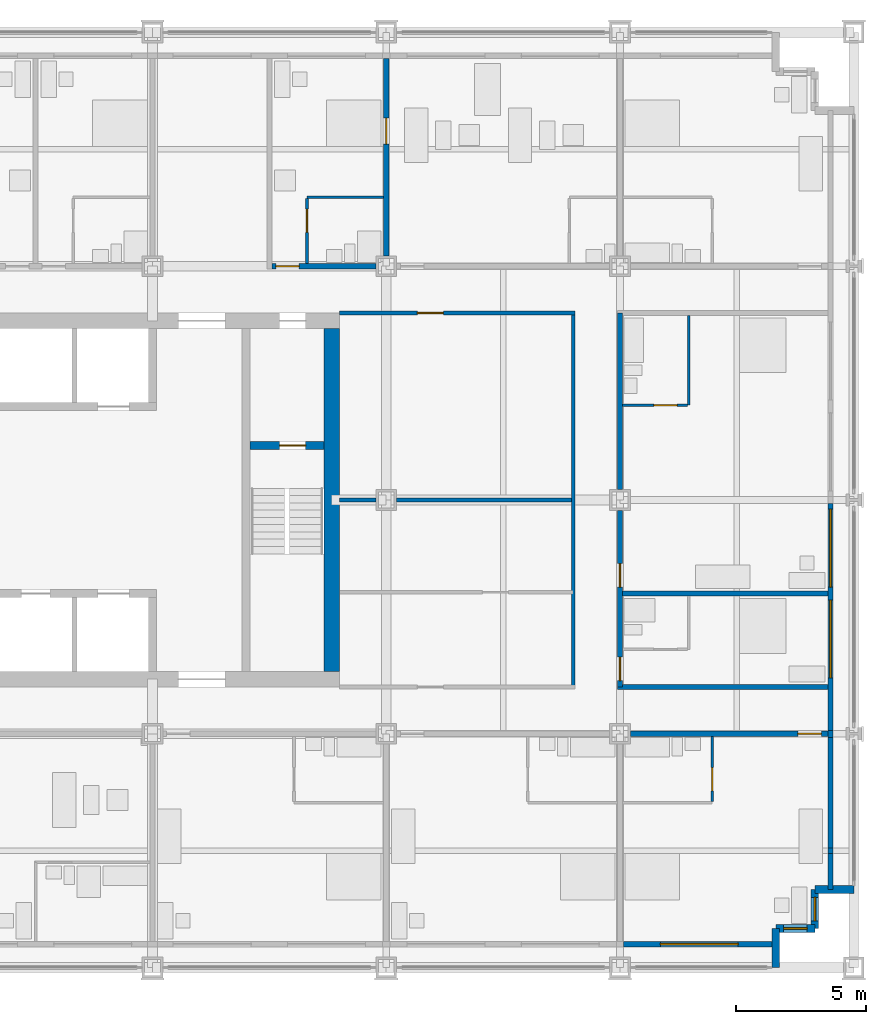
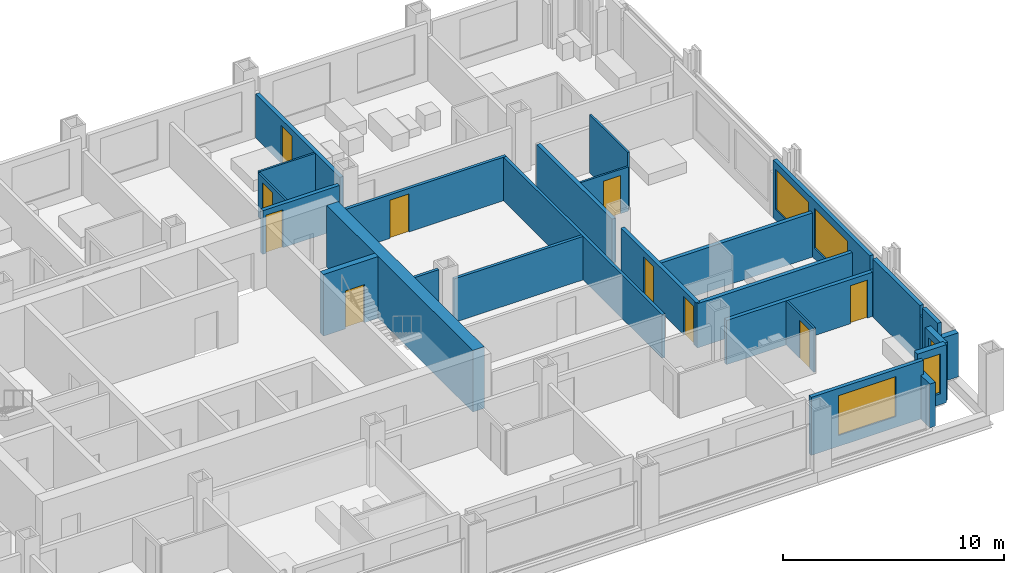
# One storey, part 13 of 18: 28 walls, 10 doors, 5 windows, 15 openings.
"""IFC4 building model written with IfcOpenShell, lengths in metres."""

import ifcopenshell
import ifcopenshell.guid

model = None  # the IFC model being written
_history = None  # IfcOwnerHistory: only IFC2X3 demands one
_inside = {}  # id of a spatial element -> (the spatial element, [elements in it])
_under = {}  # id of a project, library or spatial element -> (it, [spatial elements below it])
_declared = {}  # id of a project -> (the project, [libraries it declares])
_typed = {}  # id of a type object -> (the type object, [elements of that type])
_made_of = {}  # id of a material, layer set ... -> (it, [elements and type objects made of it])


def new_model(schema):
    """Start an empty IFC model of exactly this schema.

    Asked for "IFC4X3", IfcOpenShell would pick the latest addendum, in which some entities
    have other attributes; the version numbers below select the first issue.
    IFC2X3 requires an IfcOwnerHistory on every rooted entity: one is made here for all.
    """
    global model, _history
    if schema == "IFC4X3":
        model = ifcopenshell.file(schema_version=(4, 3, 0, 0))
    else:
        model = ifcopenshell.file(schema=schema)
    _inside.clear()
    _under.clear()
    _declared.clear()
    _typed.clear()
    _made_of.clear()
    _history = None
    if model.schema == "IFC2X3":
        org = make("IfcOrganization", Name="unknown")
        user = make(
            "IfcPersonAndOrganization",
            ThePerson=make("IfcPerson", FamilyName="unknown"),
            TheOrganization=org,
        )
        app = make(
            "IfcApplication",
            ApplicationDeveloper=org,
            Version="unknown",
            ApplicationFullName="unknown",
            ApplicationIdentifier="unknown",
        )
        _history = make(
            "IfcOwnerHistory",
            OwningUser=user,
            OwningApplication=app,
            ChangeAction="ADDED",
            CreationDate=0,
        )
    return model


def make(cls, **values):
    """One entity of the class cls with the attributes given. An attribute that is None is left unset."""
    return model.create_entity(
        cls, **{name: value for name, value in values.items() if value is not None}
    )


def rooted(cls, **values):
    """An entity with a GlobalId (a new one), such as an element, a storey or a relation."""
    return make(cls, GlobalId=ifcopenshell.guid.new(), OwnerHistory=_history, **values)


def si_unit(unit_type, name, prefix=None):
    """IfcSIUnit, for example si_unit("LENGTHUNIT", "METRE", prefix="MILLI")."""
    return make("IfcSIUnit", UnitType=unit_type, Prefix=prefix, Name=name)


def assignment(units):
    """IfcUnitAssignment: the units of a project."""
    return None if units is None else make("IfcUnitAssignment", Units=units)


def point(xyz):
    """IfcCartesianPoint."""
    return None if xyz is None else make("IfcCartesianPoint", Coordinates=xyz)


def direction(xyz):
    """IfcDirection."""
    return None if xyz is None else make("IfcDirection", DirectionRatios=xyz)


def frame(location, z_axis=None, x_axis=None):
    """IfcAxis2Placement3D, a coordinate frame: its origin and axes. An axis left out is left unset."""
    return make(
        "IfcAxis2Placement3D",
        Location=point(location),
        Axis=direction(z_axis),
        RefDirection=direction(x_axis),
    )


def frame_2d(location, x_axis=None):
    """IfcAxis2Placement2D, a coordinate frame in the plane: its origin and x axis."""
    return make(
        "IfcAxis2Placement2D", Location=point(location), RefDirection=direction(x_axis)
    )


def origin():
    """The frame at (0, 0, 0) with its axes left unset."""
    return frame((0.0, 0.0, 0.0))


def place(relative_to, where):
    """IfcLocalPlacement: puts the frame where relative to a parent placement (None: the world)."""
    return make(
        "IfcLocalPlacement", PlacementRelTo=relative_to, RelativePlacement=where
    )


def context(
    kind, dimensions, precision=None, world=None, true_north=None, identifier=None
):
    """IfcGeometricRepresentationContext, for example the 3D "Model" context."""
    return make(
        "IfcGeometricRepresentationContext",
        ContextIdentifier=identifier,
        ContextType=kind,
        CoordinateSpaceDimension=dimensions,
        Precision=precision,
        WorldCoordinateSystem=world,
        TrueNorth=true_north,
    )


def subcontext(parent, identifier, kind, view, scale=None):
    """IfcGeometricRepresentationSubContext, for example "Body" below "Model"."""
    return make(
        "IfcGeometricRepresentationSubContext",
        ContextIdentifier=identifier,
        ContextType=kind,
        ParentContext=parent,
        TargetScale=scale,
        TargetView=view,
    )


def project(units=None, contexts=None):
    """IfcProject with its units and contexts."""
    return rooted(
        "IfcProject",
        Name="project",
        RepresentationContexts=contexts,
        UnitsInContext=assignment(units),
    )


def spatial(cls, under=None, at=None, **own):
    """A site, building, storey or space (cls), placed at a placement, below another one or the project."""
    s = rooted(cls, ObjectPlacement=at, **own)
    if under is not None:
        _under.setdefault(under.id(), (under, []))[1].append(s)
    return s


def profile(cls, at=None, kind="AREA", **sizes):
    """A parametric profile (cls). Its sizes go by their IFC names, for example OverallWidth=200.0."""
    return make(cls, ProfileType=kind, Position=at, **sizes)


def rectangle(**sizes):
    """IfcRectangleProfileDef."""
    return profile("IfcRectangleProfileDef", **sizes)


def extrude(swept, where, along, depth):
    """IfcExtrudedAreaSolid: the profile swept, set in the frame where, extruded along a direction by depth."""
    return make(
        "IfcExtrudedAreaSolid",
        SweptArea=swept,
        Position=where,
        ExtrudedDirection=direction(along),
        Depth=depth,
    )


def shape(context_of_items, identifier, shape_type, items):
    """IfcShapeRepresentation: the items that make up one representation, for example the "Body"."""
    return make(
        "IfcShapeRepresentation",
        ContextOfItems=context_of_items,
        RepresentationIdentifier=identifier,
        RepresentationType=shape_type,
        Items=items,
    )


def material(Name=None, Category=None):
    """IfcMaterial."""
    return make("IfcMaterial", Name=Name, Category=Category)


def layer(
    of_material, thickness, ventilated=None, Name=None, Category=None, Priority=None
):
    """IfcMaterialLayer: one layer of a wall or slab, of a material (None: an air gap)."""
    return make(
        "IfcMaterialLayer",
        Material=of_material,
        LayerThickness=thickness,
        IsVentilated=ventilated,
        Name=Name,
        Category=Category,
        Priority=Priority,
    )


def layer_set(layers, Name=None):
    """IfcMaterialLayerSet."""
    return make("IfcMaterialLayerSet", MaterialLayers=layers, LayerSetName=Name)


def made_of(thing, what):
    """Note that an element or type object is made of a material, layer set ...; save() writes the relation."""
    if what is not None:
        _made_of.setdefault(what.id(), (what, []))[1].append(thing)
    return thing


def type_object(cls, material=None, **own):
    """A type object (cls), such as IfcWallType, which elements share."""
    return made_of(rooted(cls, **own), material)


def element(
    cls,
    number,
    at=None,
    inside=None,
    cuts=None,
    type_object=None,
    material=None,
    context=None,
    identifier="Body",
    shape_type=None,
    held_by="IfcProductDefinitionShape",
    body=None,
    shapes=None,
    **own,
):
    """One element of the class cls, such as IfcWall. Its Tag is "e" and its number.

    at: its placement. inside: the storey or other place that contains it. cuts: it is an
    opening in that element (IfcRelVoidsElement). A single representation is given by context,
    identifier, shape_type and body (its items); several are given by shapes. held_by: the class
    of the entity that holds the representations. save() writes the other relations.
    """
    e = rooted(cls, Tag="e%d" % number, ObjectPlacement=at, **own)
    if body is not None:
        shapes = [shape(context, identifier, shape_type, body)]
    if shapes is not None:
        e.Representation = make(held_by, Representations=shapes)
    if inside is not None:
        _inside.setdefault(inside.id(), (inside, []))[1].append(e)
    if cuts is not None:
        rooted(
            "IfcRelVoidsElement", RelatingBuildingElement=cuts, RelatedOpeningElement=e
        )
    if type_object is not None:
        _typed.setdefault(type_object.id(), (type_object, []))[1].append(e)
    return made_of(e, material)


def fill(opening, filler):
    """IfcRelFillsElement: the door or window that sits in an opening."""
    return rooted(
        "IfcRelFillsElement",
        RelatingOpeningElement=opening,
        RelatedBuildingElement=filler,
    )


def aggregate(whole, parts):
    """IfcRelAggregates: a whole, such as a stair, and the parts it consists of."""
    return rooted("IfcRelAggregates", RelatingObject=whole, RelatedObjects=parts)


def save(model, path):
    """Write the relations noted so far, then the file.

    IfcRelAggregates (storeys below a building ...), IfcRelContainedInSpatialStructure (elements
    in a storey), IfcRelDefinesByType, IfcRelAssociatesMaterial and IfcRelDeclares: one each for
    every whole, place, type object, material and project.
    """
    for whole, parts in _under.values():
        aggregate(whole, parts)
    for where, things in _inside.values():
        rooted(
            "IfcRelContainedInSpatialStructure",
            RelatedElements=things,
            RelatingStructure=where,
        )
    for kind, things in _typed.values():
        rooted("IfcRelDefinesByType", RelatedObjects=things, RelatingType=kind)
    for what, things in _made_of.values():
        rooted("IfcRelAssociatesMaterial", RelatedObjects=things, RelatingMaterial=what)
    for by, libraries in _declared.values():
        rooted("IfcRelDeclares", RelatingContext=by, RelatedDefinitions=libraries)
    model.write(path)


model = new_model("IFC4")

# Units and contexts
model_context = context("Model", 3, precision=1e-05, world=origin(), true_north=direction((0.0, 1.0)))
body_context = subcontext(model_context, "Body", "Model", "MODEL_VIEW")
ifc_project = project(units=[si_unit("LENGTHUNIT", "METRE"), si_unit("AREAUNIT", "SQUARE_METRE"), si_unit("VOLUMEUNIT", "CUBIC_METRE"), si_unit("PLANEANGLEUNIT", "RADIAN"), si_unit("MASSUNIT", "GRAM", prefix="KILO")], contexts=[model_context])

# Site, building, storey
site_placement = place(None, origin())
site = spatial("IfcSite", under=ifc_project, at=site_placement, CompositionType="ELEMENT")
building_placement = place(site_placement, origin())
building = spatial("IfcBuilding", under=site, at=building_placement, Name="Loomwork Tower", CompositionType="ELEMENT")
storey_placement = place(building_placement, frame((0.0, 0.0, 41.60009765625)))
storey = spatial("IfcBuildingStorey", under=building, at=storey_placement, Name="L09", CompositionType="ELEMENT", Elevation=41.60009765625)

# Wall, opening, door
ifc_material_1 = material(Name="Concrete 14000 psi (97 MPa)", Category="concrete")
ifc_layer_1 = layer(ifc_material_1, 0.300048828125)
ifc_layer_set_1 = layer_set([ifc_layer_1], Name="Core shear wall 300")
wall_type_1 = type_object("IfcWallType", Name="Core shear wall 300", PredefinedType="SHEAR", material=ifc_layer_set_1)
wall_1_placement = place(storey_placement, frame((30.75, 20.10009765625, 0.0), z_axis=(0.0, 0.0, 1.0), x_axis=(1.0, 0.0, 0.0)))
wall_1 = element("IfcWall", 1, at=wall_1_placement, inside=storey, type_object=wall_type_1, Name="Stair B north wall L09", PredefinedType="SHEAR", context=body_context, shape_type="SweptSolid", body=[
    extrude(rectangle(XDim=2.85009765625, YDim=0.300048828125, at=frame_2d((1.425048828125, 0.0))), origin(), (0.0, 0.0, 1.0), 3.39990234375),
])
opening_1_placement = place(wall_1_placement, frame((1.14990234375, 0.0, 0.0)))
opening_1 = element("IfcOpeningElement", 2, at=opening_1_placement, cuts=wall_1, Name="Opening D4", PredefinedType="OPENING", context=body_context, shape_type="SweptSolid", body=[
    extrude(rectangle(XDim=1.0, YDim=2.10009765625, at=frame_2d((0.5, 1.050048828125))), frame((0.0, 0.159912109375, 0.0), z_axis=(0.0, -1.0, 0.0), x_axis=(1.0, 0.0, 0.0)), (0.0, 0.0, 1.0), 0.320068359375),
])
ifc_material_2 = material(Name="Hollow metal door and frame")
door_type_1 = type_object("IfcDoorType", Name="Stair door 1000", OperationType="SINGLE_SWING_RIGHT", PredefinedType="DOOR", material=ifc_material_2)
door_1_placement = place(opening_1_placement, frame((1.0, 0.0, 0.0), z_axis=(0.0, 0.0, 1.0), x_axis=(-1.0, 0.0, 0.0)))
door_1 = element("IfcDoor", 3, at=door_1_placement, inside=storey, type_object=door_type_1, Name="Stair B door", OperationType="SINGLE_SWING_LEFT", OverallHeight=2.10009765625, OverallWidth=1.0, PredefinedType="DOOR", context=body_context, shape_type="SweptSolid", body=[
    extrude(rectangle(XDim=1.0, YDim=2.10009765625, at=frame_2d((0.5, 1.050048828125))), frame((0.0, 0.02490234375, 0.0), z_axis=(0.0, -1.0, 0.0), x_axis=(1.0, 0.0, 0.0)), (0.0, 0.0, 1.0), 0.050048828125),
])
fill(opening_1, door_1)

# Wall
ifc_material_3 = material(Name="Concrete 14000 psi (97 MPa)", Category="concrete")
ifc_layer_2 = layer(ifc_material_3, 0.60009765625)
ifc_layer_set_2 = layer_set([ifc_layer_2], Name="Core shear wall 600")
wall_type_2 = type_object("IfcWallType", Name="Core shear wall 600", PredefinedType="SHEAR", material=ifc_layer_set_2)
wall_2_placement = place(storey_placement, frame((33.89990234375, 11.39990234375, 0.0), z_axis=(0.0, 0.0, 1.0), x_axis=(0.0, 1.0, 0.0)))
element("IfcWall", 4, at=wall_2_placement, inside=storey, type_object=wall_type_2, Name="Core wall east L09", PredefinedType="SHEAR", context=body_context, shape_type="SweptSolid", body=[
    extrude(rectangle(XDim=13.2001953125, YDim=0.60009765625, at=frame_2d((6.60009765625, 0.0))), origin(), (0.0, 0.0, 1.0), 3.39990234375),
])

# Wall, opening, door
ifc_material_4 = material(Name="Gypsum board on steel studs, one-hour", Category="steel")
ifc_layer_3 = layer(ifc_material_4, 0.199951171875)
ifc_layer_set_3 = layer_set([ifc_layer_3], Name="Corridor wall 200")
wall_type_3 = type_object("IfcWallType", Name="Corridor wall 200", PredefinedType="PARTITIONING", material=ifc_layer_set_3)
wall_3_placement = place(storey_placement, frame((45.39990234375, 9.0, 0.0), z_axis=(0.0, 0.0, 1.0), x_axis=(1.0, 0.0, 0.0)))
wall_3 = element("IfcWall", 5, at=wall_3_placement, inside=storey, type_object=wall_type_3, Name="South corridor wall 6", PredefinedType="PARTITIONING", context=body_context, shape_type="SweptSolid", body=[
    extrude(rectangle(XDim=7.60009765625, YDim=0.199951171875, at=frame_2d((3.800048828125, 0.0))), origin(), (0.0, 0.0, 1.0), 2.43798828125),
])
opening_2_placement = place(wall_3_placement, frame((6.449951171875, 0.0, 0.0)))
opening_2 = element("IfcOpeningElement", 6, at=opening_2_placement, cuts=wall_3, Name="Opening D1", PredefinedType="OPENING", context=body_context, shape_type="SweptSolid", body=[
    extrude(rectangle(XDim=0.89990234375, YDim=2.10009765625, at=frame_2d((0.449951171875, 1.050048828125))), frame((0.0, 0.10986328125, 0.0), z_axis=(0.0, -1.0, 0.0), x_axis=(1.0, 0.0, 0.0)), (0.0, 0.0, 1.0), 0.219970703125),
])
ifc_material_5 = material(Name="Hollow metal door and frame")
door_type_2 = type_object("IfcDoorType", Name="Guest room entry door 900", OperationType="SINGLE_SWING_LEFT", PredefinedType="DOOR", material=ifc_material_5)
door_2_placement = place(opening_2_placement, frame((0.89990234375, 0.0, 0.0), z_axis=(0.0, 0.0, 1.0), x_axis=(-1.0, 0.0, 0.0)))
door_2 = element("IfcDoor", 7, at=door_2_placement, inside=storey, type_object=door_type_2, Name="Guest room entry door L09 6", OperationType="SINGLE_SWING_LEFT", OverallHeight=2.10009765625, OverallWidth=0.89990234375, PredefinedType="DOOR", context=body_context, shape_type="SweptSolid", body=[
    extrude(rectangle(XDim=0.89990234375, YDim=2.10009765625, at=frame_2d((0.449951171875, 1.050048828125))), frame((0.0, 0.02490234375, 0.0), z_axis=(0.0, -1.0, 0.0), x_axis=(1.0, 0.0, 0.0)), (0.0, 0.0, 1.0), 0.050048828125),
])
fill(opening_2, door_2)

wall_4_placement = place(storey_placement, frame((31.60009765625, 27.0, 0.0), z_axis=(0.0, 0.0, 1.0), x_axis=(1.0, 0.0, 0.0)))
wall_4 = element("IfcWall", 8, at=wall_4_placement, inside=storey, type_object=wall_type_3, Name="North corridor wall 4", PredefinedType="PARTITIONING", context=body_context, shape_type="SweptSolid", body=[
    extrude(rectangle(XDim=4.0, YDim=0.199951171875, at=frame_2d((2.0, 0.0))), origin(), (0.0, 0.0, 1.0), 2.40478515625),
])
opening_3_placement = place(wall_4_placement, frame((0.14990234375, 0.0, 0.0)))
opening_3 = element("IfcOpeningElement", 9, at=opening_3_placement, cuts=wall_4, Name="Opening D1", PredefinedType="OPENING", context=body_context, shape_type="SweptSolid", body=[
    extrude(rectangle(XDim=0.89990234375, YDim=2.10009765625, at=frame_2d((0.449951171875, 1.050048828125))), frame((0.0, 0.10986328125, 0.0), z_axis=(0.0, -1.0, 0.0), x_axis=(1.0, 0.0, 0.0)), (0.0, 0.0, 1.0), 0.219970703125),
])
door_3_placement = place(opening_3_placement, origin())
door_3 = element("IfcDoor", 10, at=door_3_placement, inside=storey, type_object=door_type_2, Name="Guest room entry door L09 11", OperationType="SINGLE_SWING_LEFT", OverallHeight=2.10009765625, OverallWidth=0.89990234375, PredefinedType="DOOR", context=body_context, shape_type="SweptSolid", body=[
    extrude(rectangle(XDim=0.89990234375, YDim=2.10009765625, at=frame_2d((0.449951171875, 1.050048828125))), frame((0.0, 0.02490234375, 0.0), z_axis=(0.0, -1.0, 0.0), x_axis=(1.0, 0.0, 0.0)), (0.0, 0.0, 1.0), 0.050048828125),
])
fill(opening_3, door_3)

# Wall, openings, doors
wall_5_placement = place(storey_placement, frame((45.0, 10.800048828125, 0.0), z_axis=(0.0, 0.0, 1.0), x_axis=(0.0, 1.0, 0.0)))
wall_5 = element("IfcWall", 11, at=wall_5_placement, inside=storey, type_object=wall_type_3, Name="East corridor wall 1", PredefinedType="PARTITIONING", context=body_context, shape_type="SweptSolid", body=[
    extrude(rectangle(XDim=6.800048828125, YDim=0.199951171875, at=frame_2d((3.39990234375, 0.0))), origin(), (0.0, 0.0, 1.0), 2.43798828125),
])
opening_4_placement = place(wall_5_placement, frame((0.25, 0.0, 0.0)))
opening_4 = element("IfcOpeningElement", 12, at=opening_4_placement, cuts=wall_5, Name="Opening D1", PredefinedType="OPENING", context=body_context, shape_type="SweptSolid", body=[
    extrude(rectangle(XDim=0.89990234375, YDim=2.10009765625, at=frame_2d((0.449951171875, 1.050048828125))), frame((0.0, 0.10986328125, 0.0), z_axis=(0.0, -1.0, 0.0), x_axis=(1.0, 0.0, 0.0)), (0.0, 0.0, 1.0), 0.219970703125),
])
opening_5_placement = place(wall_5_placement, frame((3.85009765625, 0.0, 0.0)))
opening_5 = element("IfcOpeningElement", 13, at=opening_5_placement, cuts=wall_5, Name="Opening D1", PredefinedType="OPENING", context=body_context, shape_type="SweptSolid", body=[
    extrude(rectangle(XDim=0.89990234375, YDim=2.10009765625, at=frame_2d((0.449951171875, 1.050048828125))), frame((0.0, 0.10986328125, 0.0), z_axis=(0.0, -1.0, 0.0), x_axis=(1.0, 0.0, 0.0)), (0.0, 0.0, 1.0), 0.219970703125),
])
door_4_placement = place(opening_4_placement, frame((0.89990234375, 0.0, 0.0), z_axis=(0.0, 0.0, 1.0), x_axis=(-1.0, 0.0, 0.0)))
door_4 = element("IfcDoor", 14, at=door_4_placement, inside=storey, type_object=door_type_2, Name="Guest room entry door L09 16", OperationType="SINGLE_SWING_RIGHT", OverallHeight=2.10009765625, OverallWidth=0.89990234375, PredefinedType="DOOR", context=body_context, shape_type="SweptSolid", body=[
    extrude(rectangle(XDim=0.89990234375, YDim=2.10009765625, at=frame_2d((0.449951171875, 1.050048828125))), frame((0.0, 0.02490234375, 0.0), z_axis=(0.0, -1.0, 0.0), x_axis=(1.0, 0.0, 0.0)), (0.0, 0.0, 1.0), 0.050048828125),
])
fill(opening_4, door_4)
door_5_placement = place(opening_5_placement, frame((0.89990234375, 0.0, 0.0), z_axis=(0.0, 0.0, 1.0), x_axis=(-1.0, 0.0, 0.0)))
door_5 = element("IfcDoor", 15, at=door_5_placement, inside=storey, type_object=door_type_2, Name="Guest room entry door L09 17", OperationType="SINGLE_SWING_RIGHT", OverallHeight=2.10009765625, OverallWidth=0.89990234375, PredefinedType="DOOR", context=body_context, shape_type="SweptSolid", body=[
    extrude(rectangle(XDim=0.89990234375, YDim=2.10009765625, at=frame_2d((0.449951171875, 1.050048828125))), frame((0.0, 0.02490234375, 0.0), z_axis=(0.0, -1.0, 0.0), x_axis=(1.0, 0.0, 0.0)), (0.0, 0.0, 1.0), 0.050048828125),
])
fill(opening_5, door_5)

# Walls
wall_6_placement = place(storey_placement, frame((45.0, 18.39990234375, 0.0), z_axis=(0.0, 0.0, 1.0), x_axis=(0.0, 1.0, 0.0)))
element("IfcWall", 16, at=wall_6_placement, inside=storey, type_object=wall_type_3, Name="East corridor wall 2", PredefinedType="PARTITIONING", context=body_context, shape_type="SweptSolid", body=[
    extrude(rectangle(XDim=6.800048828125, YDim=0.199951171875, at=frame_2d((3.39990234375, 0.0))), origin(), (0.0, 0.0, 1.0), 2.43798828125),
])
wall_7_placement = place(storey_placement, frame((44.89990234375, 10.800048828125, 0.0), z_axis=(0.0, 0.0, 1.0), x_axis=(1.0, 0.0, 0.0)))
element("IfcWall", 17, at=wall_7_placement, inside=storey, type_object=wall_type_3, Name="East band end wall S", PredefinedType="PARTITIONING", context=body_context, shape_type="SweptSolid", body=[
    extrude(rectangle(XDim=8.10009765625, YDim=0.199951171875, at=frame_2d((4.050048828125, 0.0))), origin(), (0.0, 0.0, 1.0), 2.43798828125),
])

# Wall, opening, door
ifc_material_6 = material(Name="Cement board on steel studs", Category="steel")
ifc_layer_4 = layer(ifc_material_6, 0.10009765625)
ifc_layer_set_4 = layer_set([ifc_layer_4], Name="En-suite partition 100")
wall_type_4 = type_object("IfcWallType", Name="En-suite partition 100", PredefinedType="PARTITIONING", material=ifc_layer_set_4)
wall_8_placement = place(storey_placement, frame((48.550048828125, 8.89990234375, 0.0), z_axis=(0.0, 0.0, 1.0), x_axis=(0.0, -1.0, 0.0)))
wall_8 = element("IfcWall", 18, at=wall_8_placement, inside=storey, type_object=wall_type_4, Name="En-suite side wall L09 room 6", PredefinedType="PARTITIONING", context=body_context, shape_type="SweptSolid", body=[
    extrude(rectangle(XDim=2.5, YDim=0.10009765625, at=frame_2d((1.25, 0.0))), origin(), (0.0, 0.0, 1.0), 2.43798828125),
])
opening_6_placement = place(wall_8_placement, frame((1.199951171875, 0.0, 0.0)))
opening_6 = element("IfcOpeningElement", 19, at=opening_6_placement, cuts=wall_8, Name="Opening D2", PredefinedType="OPENING", context=body_context, shape_type="SweptSolid", body=[
    extrude(rectangle(XDim=0.89990234375, YDim=2.10009765625, at=frame_2d((0.449951171875, 1.050048828125))), frame((0.0, 0.06005859375, 0.0), z_axis=(0.0, -1.0, 0.0), x_axis=(1.0, 0.0, 0.0)), (0.0, 0.0, 1.0), 0.1201171875),
])
ifc_material_7 = material(Name="Hollow metal door and frame")
door_type_3 = type_object("IfcDoorType", Name="En-suite door 900", OperationType="SINGLE_SWING_LEFT", PredefinedType="DOOR", material=ifc_material_7)
door_6_placement = place(opening_6_placement, frame((0.89990234375, 0.0, 0.0), z_axis=(0.0, 0.0, 1.0), x_axis=(-1.0, 0.0, 0.0)))
door_6 = element("IfcDoor", 20, at=door_6_placement, inside=storey, type_object=door_type_3, Name="En-suite door room 6", OperationType="SINGLE_SWING_LEFT", OverallHeight=2.10009765625, OverallWidth=0.89990234375, PredefinedType="DOOR", context=body_context, shape_type="SweptSolid", body=[
    extrude(rectangle(XDim=0.89990234375, YDim=2.10009765625, at=frame_2d((0.449951171875, 1.050048828125))), frame((0.0, 0.02490234375, 0.0), z_axis=(0.0, -1.0, 0.0), x_axis=(1.0, 0.0, 0.0)), (0.0, 0.0, 1.0), 0.050048828125),
])
fill(opening_6, door_6)

# Wall
wall_9_placement = place(storey_placement, frame((32.949951171875, 29.64990234375, 0.0), z_axis=(0.0, 0.0, 1.0), x_axis=(1.0, 0.0, 0.0)))
element("IfcWall", 21, at=wall_9_placement, inside=storey, type_object=wall_type_4, Name="En-suite wall L09 room 11", PredefinedType="PARTITIONING", context=body_context, shape_type="SweptSolid", body=[
    extrude(rectangle(XDim=2.949951171875, YDim=0.10009765625, at=frame_2d((1.47509765625, 0.0))), origin(), (0.0, 0.0, 1.0), 2.43798828125),
])

# Wall, opening, door
wall_10_placement = place(storey_placement, frame((32.949951171875, 27.10009765625, 0.0), z_axis=(0.0, 0.0, 1.0), x_axis=(0.0, 1.0, 0.0)))
wall_10 = element("IfcWall", 22, at=wall_10_placement, inside=storey, type_object=wall_type_4, Name="En-suite side wall L09 room 11", PredefinedType="PARTITIONING", context=body_context, shape_type="SweptSolid", body=[
    extrude(rectangle(XDim=2.5, YDim=0.10009765625, at=frame_2d((1.25, 0.0))), origin(), (0.0, 0.0, 1.0), 2.40380859375),
])
opening_7_placement = place(wall_10_placement, frame((1.199951171875, 0.0, 0.0)))
opening_7 = element("IfcOpeningElement", 23, at=opening_7_placement, cuts=wall_10, Name="Opening D2", PredefinedType="OPENING", context=body_context, shape_type="SweptSolid", body=[
    extrude(rectangle(XDim=0.89990234375, YDim=2.10009765625, at=frame_2d((0.449951171875, 1.050048828125))), frame((0.0, 0.06005859375, 0.0), z_axis=(0.0, -1.0, 0.0), x_axis=(1.0, 0.0, 0.0)), (0.0, 0.0, 1.0), 0.1201171875),
])
door_7_placement = place(opening_7_placement, frame((0.89990234375, 0.0, 0.0), z_axis=(0.0, 0.0, 1.0), x_axis=(-1.0, 0.0, 0.0)))
door_7 = element("IfcDoor", 24, at=door_7_placement, inside=storey, type_object=door_type_3, Name="En-suite door room 11", OperationType="SINGLE_SWING_LEFT", OverallHeight=2.10009765625, OverallWidth=0.89990234375, PredefinedType="DOOR", context=body_context, shape_type="SweptSolid", body=[
    extrude(rectangle(XDim=0.89990234375, YDim=2.10009765625, at=frame_2d((0.449951171875, 1.050048828125))), frame((0.0, 0.02490234375, 0.0), z_axis=(0.0, -1.0, 0.0), x_axis=(1.0, 0.0, 0.0)), (0.0, 0.0, 1.0), 0.050048828125),
])
fill(opening_7, door_7)

# Wall
wall_11_placement = place(storey_placement, frame((47.64990234375, 21.64990234375, 0.0), z_axis=(0.0, 0.0, 1.0), x_axis=(0.0, 1.0, 0.0)))
element("IfcWall", 25, at=wall_11_placement, inside=storey, type_object=wall_type_4, Name="En-suite wall L09 room 17", PredefinedType="PARTITIONING", context=body_context, shape_type="SweptSolid", body=[
    extrude(rectangle(XDim=3.4501953125, YDim=0.10009765625, at=frame_2d((1.72509765625, 0.0))), origin(), (0.0, 0.0, 1.0), 3.199951171875),
])

# Wall, opening, door
wall_12_placement = place(storey_placement, frame((45.10009765625, 21.64990234375, 0.0), z_axis=(0.0, 0.0, 1.0), x_axis=(1.0, 0.0, 0.0)))
wall_12 = element("IfcWall", 26, at=wall_12_placement, inside=storey, type_object=wall_type_4, Name="En-suite side wall L09 room 17", PredefinedType="PARTITIONING", context=body_context, shape_type="SweptSolid", body=[
    extrude(rectangle(XDim=2.5, YDim=0.10009765625, at=frame_2d((1.25, 0.0))), origin(), (0.0, 0.0, 1.0), 2.43798828125),
])
opening_8_placement = place(wall_12_placement, frame((1.199951171875, 0.0, 0.0)))
opening_8 = element("IfcOpeningElement", 27, at=opening_8_placement, cuts=wall_12, Name="Opening D2", PredefinedType="OPENING", context=body_context, shape_type="SweptSolid", body=[
    extrude(rectangle(XDim=0.89990234375, YDim=2.10009765625, at=frame_2d((0.449951171875, 1.050048828125))), frame((0.0, 0.06005859375, 0.0), z_axis=(0.0, -1.0, 0.0), x_axis=(1.0, 0.0, 0.0)), (0.0, 0.0, 1.0), 0.1201171875),
])
door_8_placement = place(opening_8_placement, origin())
door_8 = element("IfcDoor", 28, at=door_8_placement, inside=storey, type_object=door_type_3, Name="En-suite door room 17", OperationType="SINGLE_SWING_RIGHT", OverallHeight=2.10009765625, OverallWidth=0.89990234375, PredefinedType="DOOR", context=body_context, shape_type="SweptSolid", body=[
    extrude(rectangle(XDim=0.89990234375, YDim=2.10009765625, at=frame_2d((0.449951171875, 1.050048828125))), frame((0.0, 0.02490234375, 0.0), z_axis=(0.0, -1.0, 0.0), x_axis=(1.0, 0.0, 0.0)), (0.0, 0.0, 1.0), 0.050048828125),
])
fill(opening_8, door_8)

ifc_material_8 = material(Name="Gypsum board on steel studs, acoustic", Category="steel")
ifc_layer_5 = layer(ifc_material_8, 0.199951171875)
ifc_layer_set_5 = layer_set([ifc_layer_5], Name="Guest room party wall 200")
wall_type_5 = type_object("IfcWallType", Name="Guest room party wall 200", PredefinedType="PARTITIONING", material=ifc_layer_set_5)
wall_13_placement = place(storey_placement, frame((36.0, 27.39990234375, 0.0), z_axis=(0.0, 0.0, 1.0), x_axis=(0.0, 1.0, 0.0)))
wall_13 = element("IfcWall", 29, at=wall_13_placement, inside=storey, type_object=wall_type_5, Name="Guest room party wall N 36", PredefinedType="PARTITIONING", context=body_context, shape_type="SweptSolid", body=[
    extrude(rectangle(XDim=7.60009765625, YDim=0.199951171875, at=frame_2d((3.800048828125, 0.0))), origin(), (0.0, 0.0, 1.0), 2.43798828125),
])
opening_9_placement = place(wall_13_placement, frame((4.300048828125, 0.0, 0.0)))
opening_9 = element("IfcOpeningElement", 30, at=opening_9_placement, cuts=wall_13, Name="Opening D7", PredefinedType="OPENING", context=body_context, shape_type="SweptSolid", body=[
    extrude(rectangle(XDim=1.0, YDim=2.10009765625, at=frame_2d((0.5, 1.050048828125))), frame((0.0, 0.10986328125, 0.0), z_axis=(0.0, -1.0, 0.0), x_axis=(1.0, 0.0, 0.0)), (0.0, 0.0, 1.0), 0.219970703125),
])
ifc_material_9 = material(Name="Hollow metal door and frame")
door_type_4 = type_object("IfcDoorType", Name="Room door 1000", OperationType="SINGLE_SWING_LEFT", PredefinedType="DOOR", material=ifc_material_9)
door_9_placement = place(opening_9_placement, origin())
door_9 = element("IfcDoor", 31, at=door_9_placement, inside=storey, type_object=door_type_4, Name="Suite connecting door L09 N 36", OperationType="SINGLE_SWING_LEFT", OverallHeight=2.10009765625, OverallWidth=1.0, PredefinedType="DOOR", context=body_context, shape_type="SweptSolid", body=[
    extrude(rectangle(XDim=1.0, YDim=2.10009765625, at=frame_2d((0.5, 1.050048828125))), frame((0.0, 0.02490234375, 0.0), z_axis=(0.0, -1.0, 0.0), x_axis=(1.0, 0.0, 0.0)), (0.0, 0.0, 1.0), 0.050048828125),
])
fill(opening_9, door_9)

# Walls
wall_14_placement = place(storey_placement, frame((45.10009765625, 14.39990234375, 0.0), z_axis=(0.0, 0.0, 1.0), x_axis=(1.0, 0.0, 0.0)))
element("IfcWall", 32, at=wall_14_placement, inside=storey, type_object=wall_type_5, Name="Guest room party wall E 14.4", PredefinedType="PARTITIONING", context=body_context, shape_type="SweptSolid", body=[
    extrude(rectangle(XDim=7.89990234375, YDim=0.199951171875, at=frame_2d((3.949951171875, 0.0))), origin(), (0.0, 0.0, 1.0), 2.43798828125),
])
ifc_material_10 = material(Name="Insulated steel stud wall with gypsum lining", Category="steel")
ifc_layer_6 = layer(ifc_material_10, 0.199951171875)
ifc_layer_set_6 = layer_set([ifc_layer_6], Name="Inner skin wall 200")
wall_type_6 = type_object("IfcWallType", Name="Inner skin wall 200", PredefinedType="SOLIDWALL", material=ifc_layer_set_6)
wall_15_placement = place(storey_placement, frame((53.10009765625, 3.0, 0.0), z_axis=(0.0, 0.0, 1.0), x_axis=(0.0, 1.0, 0.0)))
element("IfcWall", 33, at=wall_15_placement, inside=storey, type_object=wall_type_6, Name="Inner skin wall E", PredefinedType="SOLIDWALL", context=body_context, shape_type="SweptSolid", body=[
    extrude(rectangle(XDim=1.392578125, YDim=0.199951171875, at=frame_2d((0.6962890625, 0.0))), origin(), (0.0, 0.0, 1.0), 3.199951171875),
])

# Wall, opening, window
wall_16_placement = place(storey_placement, frame((45.135498046875, 0.89990234375, 0.0), z_axis=(0.0, 0.0, 1.0), x_axis=(1.0, 0.0, 0.0)))
wall_16 = element("IfcWall", 34, at=wall_16_placement, inside=storey, type_object=wall_type_6, Name="Inner skin wall S bay 11", PredefinedType="SOLIDWALL", context=body_context, shape_type="SweptSolid", body=[
    extrude(rectangle(XDim=5.864501953125, YDim=0.199951171875, at=frame_2d((2.93212890625, 0.0))), origin(), (0.0, 0.0, 1.0), 3.199951171875),
])
opening_10_placement = place(wall_16_placement, frame((1.41455078125, 0.0, 0.60009765625)))
opening_10 = element("IfcOpeningElement", 35, at=opening_10_placement, cuts=wall_16, Name="Opening CH1", PredefinedType="OPENING", context=body_context, shape_type="SweptSolid", body=[
    extrude(rectangle(XDim=3.0, YDim=2.199951171875, at=frame_2d((1.5, 1.10009765625))), frame((0.0, 0.10986328125, 0.0), z_axis=(0.0, -1.0, 0.0), x_axis=(1.0, 0.0, 0.0)), (0.0, 0.0, 1.0), 0.219970703125),
])
ifc_material_11 = material(Name="Aluminium frame with clear insulated glass", Category="aluminium")
window_type_1 = type_object("IfcWindowType", Name="Chicago window 3000", PartitioningType="TRIPLE_PANEL_VERTICAL", PredefinedType="WINDOW", material=ifc_material_11)
window_1_placement = place(opening_10_placement, origin())
window_1 = element("IfcWindow", 36, at=window_1_placement, inside=storey, type_object=window_type_1, Name="Chicago window L09 bay 6", OverallHeight=2.199951171875, OverallWidth=3.0, PartitioningType="TRIPLE_PANEL_VERTICAL", PredefinedType="WINDOW", context=body_context, shape_type="SweptSolid", body=[
    extrude(rectangle(XDim=3.0, YDim=2.199951171875, at=frame_2d((1.5, 1.10009765625))), frame((0.0, 0.030029296875, 0.0), z_axis=(0.0, -1.0, 0.0), x_axis=(1.0, 0.0, 0.0)), (0.0, 0.0, 1.0), 0.06005859375),
])
fill(opening_10, window_1)

# Walls
wall_17_placement = place(storey_placement, frame((53.10009765625, 4.392578125, 0.0), z_axis=(0.0, 0.0, 1.0), x_axis=(0.0, 1.0, 0.0)))
element("IfcWall", 37, at=wall_17_placement, inside=storey, type_object=wall_type_6, Name="Inner skin wall E bay 2", PredefinedType="SOLIDWALL", context=body_context, shape_type="SweptSolid", body=[
    extrude(rectangle(XDim=0.21484375, YDim=0.199951171875, at=frame_2d((0.107421875, 0.0))), origin(), (0.0, 0.0, 1.0), 2.660888671875),
])
wall_18_placement = place(storey_placement, frame((53.10009765625, 4.607421875, 0.0), z_axis=(0.0, 0.0, 1.0), x_axis=(0.0, 1.0, 0.0)))
element("IfcWall", 38, at=wall_18_placement, inside=storey, type_object=wall_type_6, Name="Inner skin wall E bay 3", PredefinedType="SOLIDWALL", context=body_context, shape_type="SweptSolid", body=[
    extrude(rectangle(XDim=4.25732421875, YDim=0.199951171875, at=frame_2d((2.128662109375, 0.0))), origin(), (0.0, 0.0, 1.0), 3.199951171875),
])
wall_19_placement = place(storey_placement, frame((53.10009765625, 8.86474609375, 0.0), z_axis=(0.0, 0.0, 1.0), x_axis=(0.0, 1.0, 0.0)))
element("IfcWall", 39, at=wall_19_placement, inside=storey, type_object=wall_type_6, Name="Inner skin wall E bay 4", PredefinedType="SOLIDWALL", context=body_context, shape_type="SweptSolid", body=[
    extrude(rectangle(XDim=0.2705078125, YDim=0.199951171875, at=frame_2d((0.13525390625, 0.0))), origin(), (0.0, 0.0, 1.0), 2.43798828125),
])

# Wall, openings, windows
wall_20_placement = place(storey_placement, frame((53.10009765625, 9.13525390625, 0.0), z_axis=(0.0, 0.0, 1.0), x_axis=(0.0, 1.0, 0.0)))
wall_20 = element("IfcWall", 40, at=wall_20_placement, inside=storey, type_object=wall_type_6, Name="Inner skin wall E bay 5", PredefinedType="SOLIDWALL", context=body_context, shape_type="SweptSolid", body=[
    extrude(rectangle(XDim=8.729248046875, YDim=0.199951171875, at=frame_2d((4.36474609375, 0.0))), origin(), (0.0, 0.0, 1.0), 3.199951171875),
])
opening_11_placement = place(wall_20_placement, frame((2.0146484375, 0.0, 0.60009765625)))
opening_11 = element("IfcOpeningElement", 41, at=opening_11_placement, cuts=wall_20, Name="Opening CH1", PredefinedType="OPENING", context=body_context, shape_type="SweptSolid", body=[
    extrude(rectangle(XDim=3.0, YDim=2.199951171875, at=frame_2d((1.5, 1.10009765625))), frame((0.0, 0.10986328125, 0.0), z_axis=(0.0, -1.0, 0.0), x_axis=(1.0, 0.0, 0.0)), (0.0, 0.0, 1.0), 0.219970703125),
])
opening_12_placement = place(wall_20_placement, frame((5.5146484375, 0.0, 0.60009765625)))
opening_12 = element("IfcOpeningElement", 42, at=opening_12_placement, cuts=wall_20, Name="Opening CH1", PredefinedType="OPENING", context=body_context, shape_type="SweptSolid", body=[
    extrude(rectangle(XDim=3.0, YDim=2.199951171875, at=frame_2d((1.5, 1.10009765625))), frame((0.0, 0.10986328125, 0.0), z_axis=(0.0, -1.0, 0.0), x_axis=(1.0, 0.0, 0.0)), (0.0, 0.0, 1.0), 0.219970703125),
])
window_2_placement = place(opening_11_placement, origin())
window_2 = element("IfcWindow", 43, at=window_2_placement, inside=storey, type_object=window_type_1, Name="Chicago window L09 bay 15", OverallHeight=2.199951171875, OverallWidth=3.0, PartitioningType="TRIPLE_PANEL_VERTICAL", PredefinedType="WINDOW", context=body_context, shape_type="SweptSolid", body=[
    extrude(rectangle(XDim=3.0, YDim=2.199951171875, at=frame_2d((1.5, 1.10009765625))), frame((0.0, 0.030029296875, 0.0), z_axis=(0.0, -1.0, 0.0), x_axis=(1.0, 0.0, 0.0)), (0.0, 0.0, 1.0), 0.06005859375),
])
fill(opening_11, window_2)
window_3_placement = place(opening_12_placement, origin())
window_3 = element("IfcWindow", 44, at=window_3_placement, inside=storey, type_object=window_type_1, Name="Chicago window L09 bay 15", OverallHeight=2.199951171875, OverallWidth=3.0, PartitioningType="TRIPLE_PANEL_VERTICAL", PredefinedType="WINDOW", context=body_context, shape_type="SweptSolid", body=[
    extrude(rectangle(XDim=3.0, YDim=2.199951171875, at=frame_2d((1.5, 1.10009765625))), frame((0.0, 0.030029296875, 0.0), z_axis=(0.0, -1.0, 0.0), x_axis=(1.0, 0.0, 0.0)), (0.0, 0.0, 1.0), 0.06005859375),
])
fill(opening_12, window_3)

# Wall
ifc_material_12 = material(Name="Limestone on concrete masonry", Category="masonry")
ifc_layer_7 = layer(ifc_material_12, 0.300048828125)
ifc_layer_set_7 = layer_set([ifc_layer_7], Name="Limestone corner wall 300")
wall_type_7 = type_object("IfcWallType", Name="Limestone corner wall 300", PredefinedType="SOLIDWALL", material=ifc_layer_set_7)
wall_21_placement = place(storey_placement, frame((51.0, 0.0, 0.0), z_axis=(0.0, 0.0, 1.0), x_axis=(0.0, 1.0, 0.0)))
element("IfcWall", 45, at=wall_21_placement, inside=storey, type_object=wall_type_7, Name="Stone corner wall SE 1", PredefinedType="SOLIDWALL", context=body_context, shape_type="SweptSolid", body=[
    extrude(rectangle(XDim=1.5, YDim=0.300048828125, at=frame_2d((0.75, 0.0))), origin(), (0.0, 0.0, 1.0), 2.419921875),
])

# Wall, opening, window
wall_22_placement = place(storey_placement, frame((51.0, 1.5, 0.0), z_axis=(0.0, 0.0, 1.0), x_axis=(1.0, 0.0, 0.0)))
wall_22 = element("IfcWall", 46, at=wall_22_placement, inside=storey, type_object=wall_type_7, Name="Stone corner wall SE 2", PredefinedType="SOLIDWALL", context=body_context, shape_type="SweptSolid", body=[
    extrude(rectangle(XDim=1.5, YDim=0.300048828125, at=frame_2d((0.75, 0.0))), origin(), (0.0, 0.0, 1.0), 3.199951171875),
])
opening_13_placement = place(wall_22_placement, frame((0.300048828125, 0.0, 0.60009765625)))
opening_13 = element("IfcOpeningElement", 47, at=opening_13_placement, cuts=wall_22, Name="Opening CH2", PredefinedType="OPENING", context=body_context, shape_type="SweptSolid", body=[
    extrude(rectangle(XDim=0.89990234375, YDim=2.199951171875, at=frame_2d((0.449951171875, 1.10009765625))), frame((0.0, 0.159912109375, 0.0), z_axis=(0.0, -1.0, 0.0), x_axis=(1.0, 0.0, 0.0)), (0.0, 0.0, 1.0), 0.320068359375),
])
ifc_material_13 = material(Name="Aluminium frame with clear insulated glass", Category="aluminium")
window_type_2 = type_object("IfcWindowType", Name="Corner window 900", PartitioningType="SINGLE_PANEL", PredefinedType="WINDOW", material=ifc_material_13)
window_4_placement = place(opening_13_placement, origin())
window_4 = element("IfcWindow", 48, at=window_4_placement, inside=storey, type_object=window_type_2, Name="Corner window SE", OverallHeight=2.199951171875, OverallWidth=0.89990234375, PartitioningType="SINGLE_PANEL", PredefinedType="WINDOW", context=body_context, shape_type="SweptSolid", body=[
    extrude(rectangle(XDim=0.89990234375, YDim=2.199951171875, at=frame_2d((0.449951171875, 1.10009765625))), frame((0.0, 0.030029296875, 0.0), z_axis=(0.0, -1.0, 0.0), x_axis=(1.0, 0.0, 0.0)), (0.0, 0.0, 1.0), 0.06005859375),
])
fill(opening_13, window_4)

wall_23_placement = place(storey_placement, frame((52.5, 1.5, 0.0), z_axis=(0.0, 0.0, 1.0), x_axis=(0.0, 1.0, 0.0)))
wall_23 = element("IfcWall", 49, at=wall_23_placement, inside=storey, type_object=wall_type_7, Name="Stone corner wall SE 3", PredefinedType="SOLIDWALL", context=body_context, shape_type="SweptSolid", body=[
    extrude(rectangle(XDim=1.5, YDim=0.300048828125, at=frame_2d((0.75, 0.0))), origin(), (0.0, 0.0, 1.0), 3.199951171875),
])
opening_14_placement = place(wall_23_placement, frame((0.300048828125, 0.0, 0.60009765625)))
opening_14 = element("IfcOpeningElement", 50, at=opening_14_placement, cuts=wall_23, Name="Opening CH2", PredefinedType="OPENING", context=body_context, shape_type="SweptSolid", body=[
    extrude(rectangle(XDim=0.89990234375, YDim=2.199951171875, at=frame_2d((0.449951171875, 1.10009765625))), frame((0.0, 0.159912109375, 0.0), z_axis=(0.0, -1.0, 0.0), x_axis=(1.0, 0.0, 0.0)), (0.0, 0.0, 1.0), 0.320068359375),
])
window_5_placement = place(opening_14_placement, origin())
window_5 = element("IfcWindow", 51, at=window_5_placement, inside=storey, type_object=window_type_2, Name="Corner window SE", OverallHeight=2.199951171875, OverallWidth=0.89990234375, PartitioningType="SINGLE_PANEL", PredefinedType="WINDOW", context=body_context, shape_type="SweptSolid", body=[
    extrude(rectangle(XDim=0.89990234375, YDim=2.199951171875, at=frame_2d((0.449951171875, 1.10009765625))), frame((0.0, 0.030029296875, 0.0), z_axis=(0.0, -1.0, 0.0), x_axis=(1.0, 0.0, 0.0)), (0.0, 0.0, 1.0), 0.06005859375),
])
fill(opening_14, window_5)

# Wall
wall_24_placement = place(storey_placement, frame((52.5, 3.0, 0.0), z_axis=(0.0, 0.0, 1.0), x_axis=(1.0, 0.0, 0.0)))
element("IfcWall", 52, at=wall_24_placement, inside=storey, type_object=wall_type_7, Name="Stone corner wall SE 4", PredefinedType="SOLIDWALL", context=body_context, shape_type="SweptSolid", body=[
    extrude(rectangle(XDim=1.5, YDim=0.300048828125, at=frame_2d((0.75, 0.0))), origin(), (0.0, 0.0, 1.0), 2.419921875),
])

# Wall, opening, door
ifc_material_14 = material(Name="Gypsum board on steel studs, one-hour", Category="steel")
ifc_layer_8 = layer(ifc_material_14, 0.14990234375)
ifc_layer_set_8 = layer_set([ifc_layer_8], Name="Service partition 150")
wall_type_8 = type_object("IfcWallType", Name="Service partition 150", PredefinedType="PARTITIONING", material=ifc_layer_set_8)
wall_25_placement = place(storey_placement, frame((34.199951171875, 25.199951171875, 0.0), z_axis=(0.0, 0.0, 1.0), x_axis=(1.0, 0.0, 0.0)))
wall_25 = element("IfcWall", 53, at=wall_25_placement, inside=storey, type_object=wall_type_8, Name="Service block wall N", PredefinedType="PARTITIONING", context=body_context, shape_type="SweptSolid", body=[
    extrude(rectangle(XDim=9.074951171875, YDim=0.14990234375, at=frame_2d((4.53759765625, 0.0))), origin(), (0.0, 0.0, 1.0), 2.40380859375),
])
opening_15_placement = place(wall_25_placement, frame((3.0, 0.0, 0.0)))
opening_15 = element("IfcOpeningElement", 54, at=opening_15_placement, cuts=wall_25, Name="Opening D5", PredefinedType="OPENING", context=body_context, shape_type="SweptSolid", body=[
    extrude(rectangle(XDim=1.0, YDim=2.10009765625, at=frame_2d((0.5, 1.050048828125))), frame((0.0, 0.0849609375, 0.0), z_axis=(0.0, -1.0, 0.0), x_axis=(1.0, 0.0, 0.0)), (0.0, 0.0, 1.0), 0.169921875),
])
ifc_material_15 = material(Name="Hollow metal door and frame")
door_type_5 = type_object("IfcDoorType", Name="Service door 1000", OperationType="SINGLE_SWING_LEFT", PredefinedType="DOOR", material=ifc_material_15)
door_10_placement = place(opening_15_placement, frame((1.0, 0.0, 0.0), z_axis=(0.0, 0.0, 1.0), x_axis=(-1.0, 0.0, 0.0)))
door_10 = element("IfcDoor", 55, at=door_10_placement, inside=storey, type_object=door_type_5, Name="Riser room door", OperationType="SINGLE_SWING_RIGHT", OverallHeight=2.10009765625, OverallWidth=1.0, PredefinedType="DOOR", context=body_context, shape_type="SweptSolid", body=[
    extrude(rectangle(XDim=1.0, YDim=2.10009765625, at=frame_2d((0.5, 1.050048828125))), frame((0.0, 0.02490234375, 0.0), z_axis=(0.0, -1.0, 0.0), x_axis=(1.0, 0.0, 0.0)), (0.0, 0.0, 1.0), 0.050048828125),
])
fill(opening_15, door_10)

# Walls
wall_26_placement = place(storey_placement, frame((43.199951171875, 10.800048828125, 0.0), z_axis=(0.0, 0.0, 1.0), x_axis=(0.0, 1.0, 0.0)))
element("IfcWall", 56, at=wall_26_placement, inside=storey, type_object=wall_type_8, Name="Service block east wall", PredefinedType="PARTITIONING", context=body_context, shape_type="SweptSolid", body=[
    extrude(rectangle(XDim=14.39990234375, YDim=0.14990234375, at=frame_2d((7.199951171875, 0.0))), origin(), (0.0, 0.0, 1.0), 2.40380859375),
])
wall_27_placement = place(storey_placement, frame((34.199951171875, 18.0, 0.0), z_axis=(0.0, 0.0, 1.0), x_axis=(1.0, 0.0, 0.0)))
element("IfcWall", 57, at=wall_27_placement, inside=storey, type_object=wall_type_8, Name="Service block divider", PredefinedType="PARTITIONING", context=body_context, shape_type="SweptSolid", body=[
    extrude(rectangle(XDim=1.400146484375, YDim=0.14990234375, at=frame_2d((0.7001953125, 0.0))), origin(), (0.0, 0.0, 1.0), 3.199951171875),
])
wall_28_placement = place(storey_placement, frame((36.39990234375, 18.0, 0.0), z_axis=(0.0, 0.0, 1.0), x_axis=(1.0, 0.0, 0.0)))
element("IfcWall", 58, at=wall_28_placement, inside=storey, type_object=wall_type_8, Name="Service block divider", PredefinedType="PARTITIONING", context=body_context, shape_type="SweptSolid", body=[
    extrude(rectangle(XDim=6.72509765625, YDim=0.14990234375, at=frame_2d((3.362548828125, 0.0))), origin(), (0.0, 0.0, 1.0), 2.40478515625),
])

save(model, "model.ifc")
